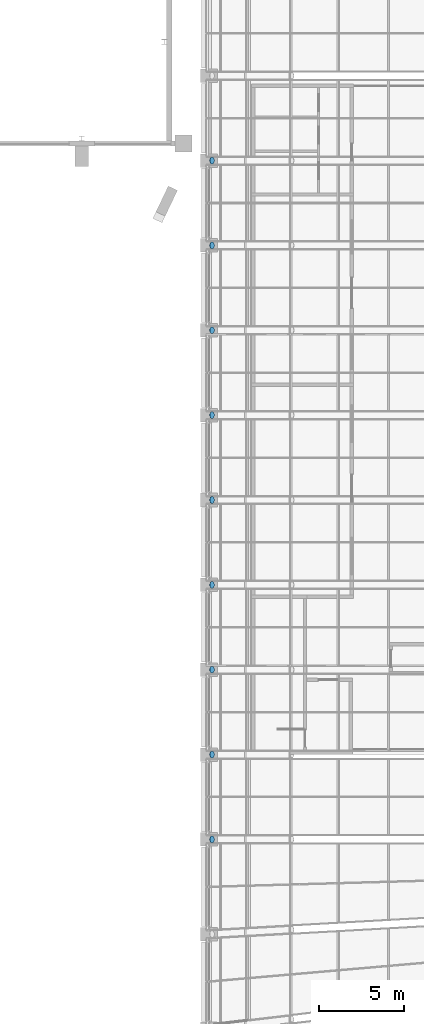
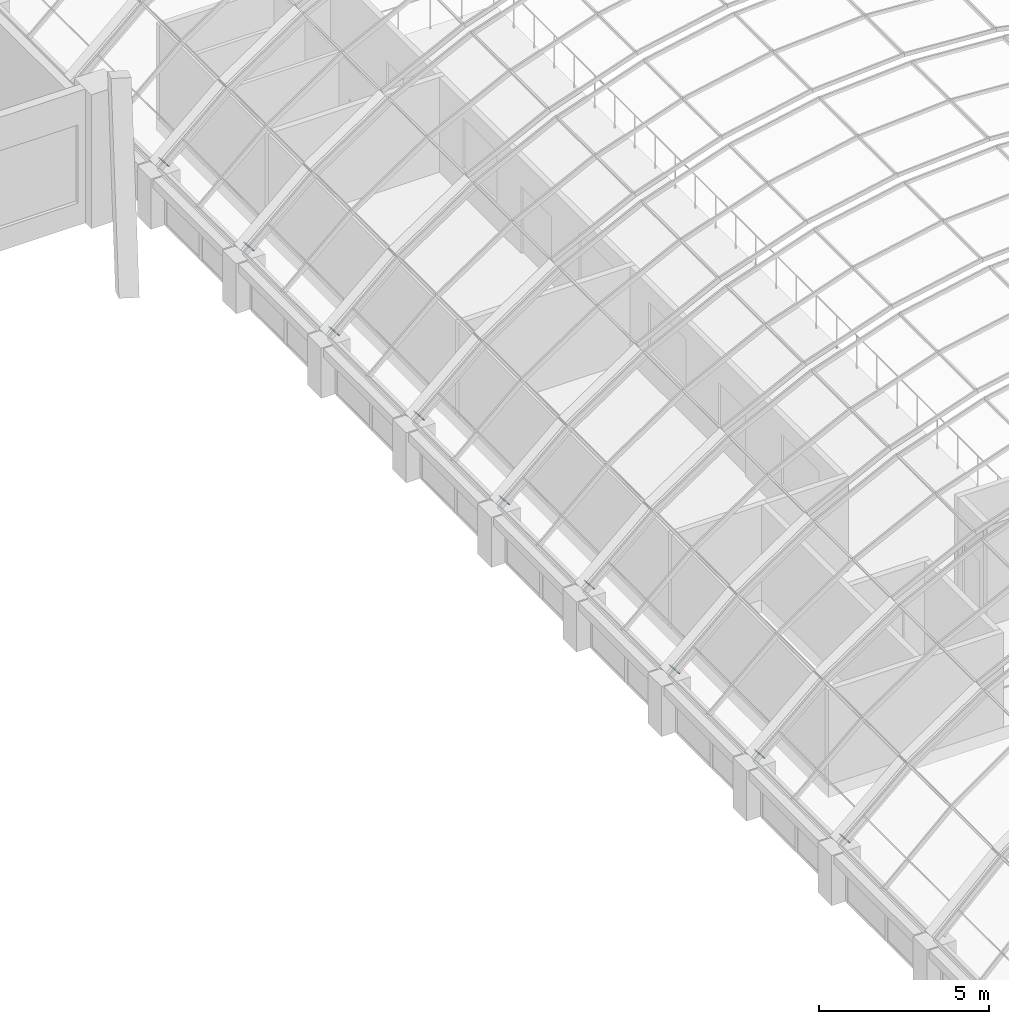
# One storey, part 161 of 182: 9 discrete accessories.
"""IFC4 building model written with IfcOpenShell, lengths in metres."""

from ifc_helpers import new_model, si_unit, direction, frame, origin, origin_2d, place, context, subcontext, project, spatial, circle, extrude, material, layer, layer_set, type_object, element, save


model = new_model("IFC4")

# Units and contexts
model_context = context("Model", 3, precision=1e-05, world=origin(), true_north=direction((0.0, 1.0)))
body_context = subcontext(model_context, "Body", "Model", "MODEL_VIEW")
ifc_project = project(units=[si_unit("LENGTHUNIT", "METRE"), si_unit("AREAUNIT", "SQUARE_METRE"), si_unit("VOLUMEUNIT", "CUBIC_METRE"), si_unit("PLANEANGLEUNIT", "RADIAN"), si_unit("MASSUNIT", "GRAM", prefix="KILO")], contexts=[model_context])

# Site, building, storey
site_placement = place(None, origin())
site = spatial("IfcSite", under=ifc_project, at=site_placement, CompositionType="ELEMENT")
building_placement = place(site_placement, origin())
building = spatial("IfcBuilding", under=site, at=building_placement, Name="Okhra Congress Centre", CompositionType="ELEMENT")
storey_placement = place(building_placement, frame((0.0, 0.0, 7.199951171875)))
storey = spatial("IfcBuildingStorey", under=building, at=storey_placement, Name="L01", CompositionType="ELEMENT", Elevation=7.199951171875)

# Discrete accessories
ifc_material = material(Name="Steel S355J2", Category="steel")
ifc_layer = layer(ifc_material, 0.011962890625)
ifc_layer_set = layer_set([ifc_layer], Name="Hollow section end cap 12 mm S355")
discrete_accessory_type = type_object("IfcDiscreteAccessoryType", Name="Hollow section end cap 12 mm S355", PredefinedType="BRACKET", material=ifc_layer_set)
for number, where, z_axis, x_axis, name in (
    (1, (155.67138671875, 91.0, 1.9521484375), (-0.746295434469, 0.0, -0.665614846958), (0.0, -1.0, 0.0), "Hollow section end cap"),
    (2, (155.67138671875, 96.0, 1.9521484375), (-0.746295434469, 0.0, -0.665614846958), (0.0, -1.0, 0.0), "Hollow section end cap"),
    (3, (155.67138671875, 101.0, 1.9521484375), (-0.746295434469, 0.0, -0.665614846958), (0.0, -1.0, 0.0), "Hollow section end cap"),
    (4, (155.67138671875, 106.0, 1.9521484375), (-0.746295434469, 0.0, -0.665614846958), (0.0, -1.0, 0.0), "Hollow section end cap"),
    (5, (155.67138671875, 111.0, 1.9521484375), (-0.746295434469, 0.0, -0.665614846958), (0.0, -1.0, 0.0), "Hollow section end cap"),
    (6, (155.67138671875, 116.0, 1.9521484375), (-0.746295434469, 0.0, -0.665614846958), (0.0, -1.0, 0.0), "Hollow section end cap"),
    (7, (155.67138671875, 121.0, 1.9521484375), (-0.746295434469, 0.0, -0.665614846958), (0.0, -1.0, 0.0), "Hollow section end cap"),
    (8, (155.67138671875, 126.0, 1.9521484375), (-0.746295434469, 0.0, -0.665614846958), (0.0, -1.0, 0.0), "Hollow section end cap"),
    (9, (155.67138671875, 131.0, 1.9521484375), (-0.746295434469, 0.0, -0.665614846958), (0.0, -1.0, 0.0), "Hollow section end cap"),
):
    element("IfcDiscreteAccessory", number, at=place(storey_placement, frame(where, z_axis=z_axis, x_axis=x_axis)), inside=storey, type_object=discrete_accessory_type, Name=name, PredefinedType="BRACKET", context=body_context, shape_type="SweptSolid", body=[
        extrude(circle(Radius=0.203125, at=origin_2d()), origin(), (0.0, 0.0, 1.0), 0.01220703125),
    ])

save(model, "model.ifc")
